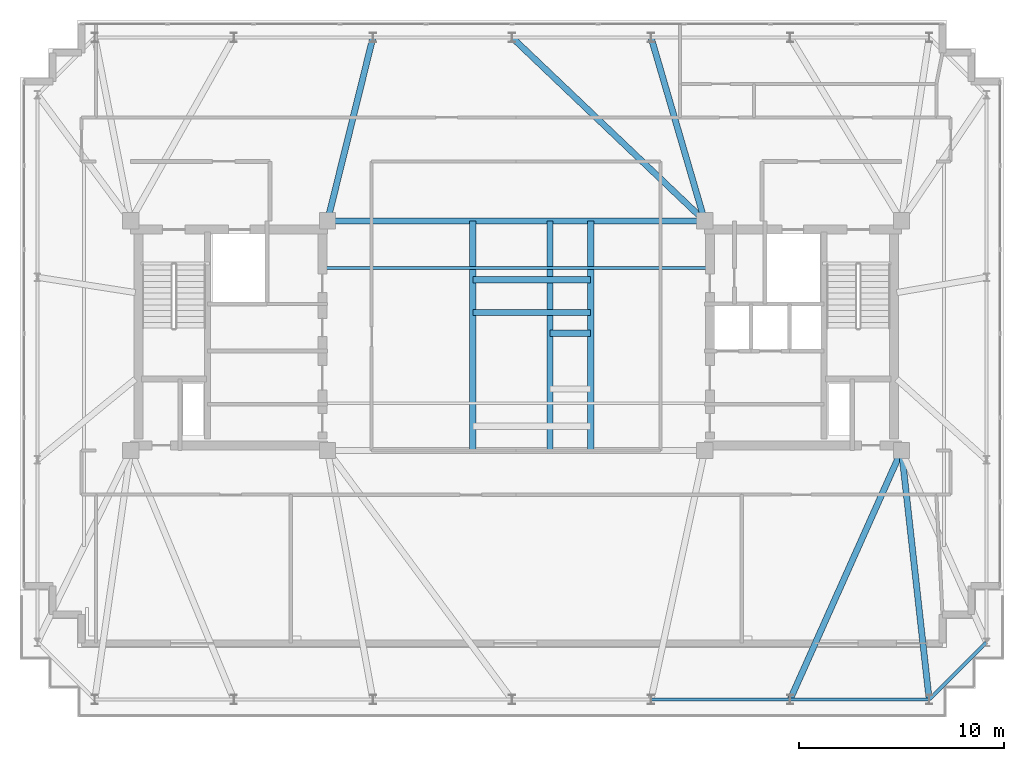
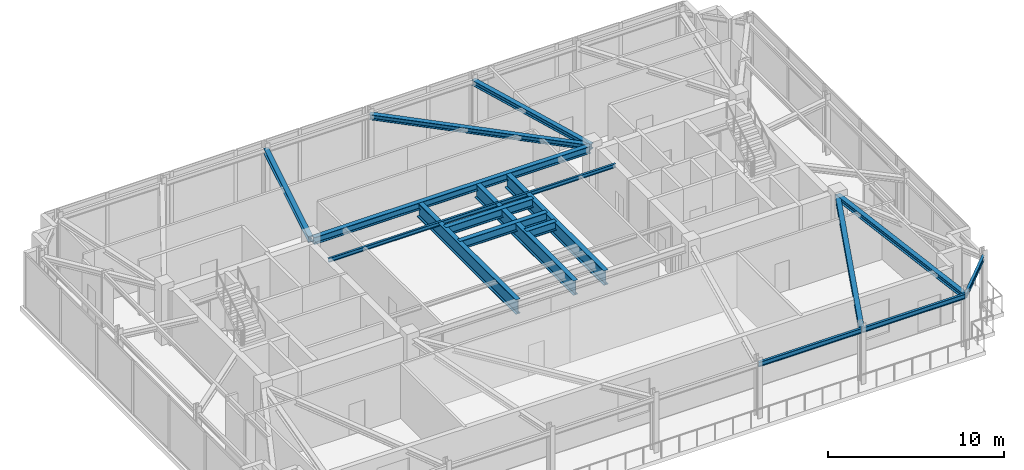
# One storey, part 11 of 24: 16 beams.
"""IFC4 building model written with IfcOpenShell, lengths in metres."""

import ifcopenshell
import ifcopenshell.guid

model = None  # the IFC model being written
_history = None  # IfcOwnerHistory: only IFC2X3 demands one
_inside = {}  # id of a spatial element -> (the spatial element, [elements in it])
_under = {}  # id of a project, library or spatial element -> (it, [spatial elements below it])
_declared = {}  # id of a project -> (the project, [libraries it declares])
_typed = {}  # id of a type object -> (the type object, [elements of that type])
_made_of = {}  # id of a material, layer set ... -> (it, [elements and type objects made of it])


def new_model(schema):
    """Start an empty IFC model of exactly this schema.

    Asked for "IFC4X3", IfcOpenShell would pick the latest addendum, in which some entities
    have other attributes; the version numbers below select the first issue.
    IFC2X3 requires an IfcOwnerHistory on every rooted entity: one is made here for all.
    """
    global model, _history
    if schema == "IFC4X3":
        model = ifcopenshell.file(schema_version=(4, 3, 0, 0))
    else:
        model = ifcopenshell.file(schema=schema)
    _inside.clear()
    _under.clear()
    _declared.clear()
    _typed.clear()
    _made_of.clear()
    _history = None
    if model.schema == "IFC2X3":
        org = make("IfcOrganization", Name="unknown")
        user = make(
            "IfcPersonAndOrganization",
            ThePerson=make("IfcPerson", FamilyName="unknown"),
            TheOrganization=org,
        )
        app = make(
            "IfcApplication",
            ApplicationDeveloper=org,
            Version="unknown",
            ApplicationFullName="unknown",
            ApplicationIdentifier="unknown",
        )
        _history = make(
            "IfcOwnerHistory",
            OwningUser=user,
            OwningApplication=app,
            ChangeAction="ADDED",
            CreationDate=0,
        )
    return model


def make(cls, **values):
    """One entity of the class cls with the attributes given. An attribute that is None is left unset."""
    return model.create_entity(
        cls, **{name: value for name, value in values.items() if value is not None}
    )


def rooted(cls, **values):
    """An entity with a GlobalId (a new one), such as an element, a storey or a relation."""
    return make(cls, GlobalId=ifcopenshell.guid.new(), OwnerHistory=_history, **values)


def si_unit(unit_type, name, prefix=None):
    """IfcSIUnit, for example si_unit("LENGTHUNIT", "METRE", prefix="MILLI")."""
    return make("IfcSIUnit", UnitType=unit_type, Prefix=prefix, Name=name)


def assignment(units):
    """IfcUnitAssignment: the units of a project."""
    return None if units is None else make("IfcUnitAssignment", Units=units)


def point(xyz):
    """IfcCartesianPoint."""
    return None if xyz is None else make("IfcCartesianPoint", Coordinates=xyz)


def direction(xyz):
    """IfcDirection."""
    return None if xyz is None else make("IfcDirection", DirectionRatios=xyz)


def frame(location, z_axis=None, x_axis=None):
    """IfcAxis2Placement3D, a coordinate frame: its origin and axes. An axis left out is left unset."""
    return make(
        "IfcAxis2Placement3D",
        Location=point(location),
        Axis=direction(z_axis),
        RefDirection=direction(x_axis),
    )


def frame_2d(location, x_axis=None):
    """IfcAxis2Placement2D, a coordinate frame in the plane: its origin and x axis."""
    return make(
        "IfcAxis2Placement2D", Location=point(location), RefDirection=direction(x_axis)
    )


def origin():
    """The frame at (0, 0, 0) with its axes left unset."""
    return frame((0.0, 0.0, 0.0))


def origin_2d():
    """The frame at (0, 0) in the plane with its x axis left unset."""
    return frame_2d((0.0, 0.0))


def place(relative_to, where):
    """IfcLocalPlacement: puts the frame where relative to a parent placement (None: the world)."""
    return make(
        "IfcLocalPlacement", PlacementRelTo=relative_to, RelativePlacement=where
    )


def context(
    kind, dimensions, precision=None, world=None, true_north=None, identifier=None
):
    """IfcGeometricRepresentationContext, for example the 3D "Model" context."""
    return make(
        "IfcGeometricRepresentationContext",
        ContextIdentifier=identifier,
        ContextType=kind,
        CoordinateSpaceDimension=dimensions,
        Precision=precision,
        WorldCoordinateSystem=world,
        TrueNorth=true_north,
    )


def subcontext(parent, identifier, kind, view, scale=None):
    """IfcGeometricRepresentationSubContext, for example "Body" below "Model"."""
    return make(
        "IfcGeometricRepresentationSubContext",
        ContextIdentifier=identifier,
        ContextType=kind,
        ParentContext=parent,
        TargetScale=scale,
        TargetView=view,
    )


def project(units=None, contexts=None):
    """IfcProject with its units and contexts."""
    return rooted(
        "IfcProject",
        Name="project",
        RepresentationContexts=contexts,
        UnitsInContext=assignment(units),
    )


def spatial(cls, under=None, at=None, **own):
    """A site, building, storey or space (cls), placed at a placement, below another one or the project."""
    s = rooted(cls, ObjectPlacement=at, **own)
    if under is not None:
        _under.setdefault(under.id(), (under, []))[1].append(s)
    return s


def profile(cls, at=None, kind="AREA", **sizes):
    """A parametric profile (cls). Its sizes go by their IFC names, for example OverallWidth=200.0."""
    return make(cls, ProfileType=kind, Position=at, **sizes)


def i_section(**sizes):
    """IfcIShapeProfileDef."""
    return profile("IfcIShapeProfileDef", **sizes)


def extrude(swept, where, along, depth):
    """IfcExtrudedAreaSolid: the profile swept, set in the frame where, extruded along a direction by depth."""
    return make(
        "IfcExtrudedAreaSolid",
        SweptArea=swept,
        Position=where,
        ExtrudedDirection=direction(along),
        Depth=depth,
    )


def shape(context_of_items, identifier, shape_type, items):
    """IfcShapeRepresentation: the items that make up one representation, for example the "Body"."""
    return make(
        "IfcShapeRepresentation",
        ContextOfItems=context_of_items,
        RepresentationIdentifier=identifier,
        RepresentationType=shape_type,
        Items=items,
    )


def material(Name=None, Category=None):
    """IfcMaterial."""
    return make("IfcMaterial", Name=Name, Category=Category)


def material_profile(
    of_material, cross_section, Name=None, Category=None, Priority=None
):
    """IfcMaterialProfile: a cross section and its material."""
    return make(
        "IfcMaterialProfile",
        Name=Name,
        Material=of_material,
        Profile=cross_section,
        Priority=Priority,
        Category=Category,
    )


def profile_set(profiles, Name=None, composite=None):
    """IfcMaterialProfileSet."""
    return make(
        "IfcMaterialProfileSet",
        Name=Name,
        MaterialProfiles=profiles,
        CompositeProfile=composite,
    )


def made_of(thing, what):
    """Note that an element or type object is made of a material, layer set ...; save() writes the relation."""
    if what is not None:
        _made_of.setdefault(what.id(), (what, []))[1].append(thing)
    return thing


def type_object(cls, material=None, **own):
    """A type object (cls), such as IfcWallType, which elements share."""
    return made_of(rooted(cls, **own), material)


def element(
    cls,
    number,
    at=None,
    inside=None,
    cuts=None,
    type_object=None,
    material=None,
    context=None,
    identifier="Body",
    shape_type=None,
    held_by="IfcProductDefinitionShape",
    body=None,
    shapes=None,
    **own,
):
    """One element of the class cls, such as IfcWall. Its Tag is "e" and its number.

    at: its placement. inside: the storey or other place that contains it. cuts: it is an
    opening in that element (IfcRelVoidsElement). A single representation is given by context,
    identifier, shape_type and body (its items); several are given by shapes. held_by: the class
    of the entity that holds the representations. save() writes the other relations.
    """
    e = rooted(cls, Tag="e%d" % number, ObjectPlacement=at, **own)
    if body is not None:
        shapes = [shape(context, identifier, shape_type, body)]
    if shapes is not None:
        e.Representation = make(held_by, Representations=shapes)
    if inside is not None:
        _inside.setdefault(inside.id(), (inside, []))[1].append(e)
    if cuts is not None:
        rooted(
            "IfcRelVoidsElement", RelatingBuildingElement=cuts, RelatedOpeningElement=e
        )
    if type_object is not None:
        _typed.setdefault(type_object.id(), (type_object, []))[1].append(e)
    return made_of(e, material)


def aggregate(whole, parts):
    """IfcRelAggregates: a whole, such as a stair, and the parts it consists of."""
    return rooted("IfcRelAggregates", RelatingObject=whole, RelatedObjects=parts)


def save(model, path):
    """Write the relations noted so far, then the file.

    IfcRelAggregates (storeys below a building ...), IfcRelContainedInSpatialStructure (elements
    in a storey), IfcRelDefinesByType, IfcRelAssociatesMaterial and IfcRelDeclares: one each for
    every whole, place, type object, material and project.
    """
    for whole, parts in _under.values():
        aggregate(whole, parts)
    for where, things in _inside.values():
        rooted(
            "IfcRelContainedInSpatialStructure",
            RelatedElements=things,
            RelatingStructure=where,
        )
    for kind, things in _typed.values():
        rooted("IfcRelDefinesByType", RelatedObjects=things, RelatingType=kind)
    for what, things in _made_of.values():
        rooted("IfcRelAssociatesMaterial", RelatedObjects=things, RelatingMaterial=what)
    for by, libraries in _declared.values():
        rooted("IfcRelDeclares", RelatingContext=by, RelatedDefinitions=libraries)
    model.write(path)


model = new_model("IFC4")

# Units and contexts
model_context = context("Model", 3, precision=1e-05, world=origin(), true_north=direction((0.0, 1.0)))
body_context = subcontext(model_context, "Body", "Model", "MODEL_VIEW")
ifc_project = project(units=[si_unit("LENGTHUNIT", "METRE"), si_unit("AREAUNIT", "SQUARE_METRE"), si_unit("VOLUMEUNIT", "CUBIC_METRE"), si_unit("PLANEANGLEUNIT", "RADIAN"), si_unit("MASSUNIT", "GRAM", prefix="KILO")], contexts=[model_context])

# Site, building, storey
site_placement = place(None, origin())
site = spatial("IfcSite", under=ifc_project, at=site_placement, CompositionType="ELEMENT")
building_placement = place(site_placement, origin())
building = spatial("IfcBuilding", under=site, at=building_placement, Name="Qobustan Lattice House", CompositionType="ELEMENT")
storey_placement = place(building_placement, frame((0.0, 0.0, 261.800048828125)))
storey = spatial("IfcBuildingStorey", under=building, at=storey_placement, Name="L74", CompositionType="ELEMENT", Elevation=261.800048828125)

# Beams
ifc_material_1 = material(Name="Steel S355", Category="steel")
ifc_material_profile_1 = material_profile(ifc_material_1, i_section(OverallWidth=0.300048828125, OverallDepth=0.5, WebThickness=0.014404296875, FlangeThickness=0.028076171875, FilletRadius=0.027099609375, at=origin_2d()), Name="HEB500")
ifc_profile_set_1 = profile_set([ifc_material_profile_1], Name="Steel S355")
beam_type_1 = type_object("IfcBeamType", Name="BM-CG-HEB500", PredefinedType="USERDEFINED", material=ifc_profile_set_1)
beam_1_placement = place(storey_placement, frame((-9.050048828125, 5.60009765625, 3.530029296875), z_axis=(1.0, 0.0, 0.0), x_axis=(0.0, 1.0, 0.0)))
element("IfcBeam", 1, at=beam_1_placement, inside=storey, type_object=beam_type_1, Name="L74 core spine girder CG-CN", ObjectType="GIRDER", PredefinedType="USERDEFINED", context=body_context, shape_type="SweptSolid", body=[
    extrude(i_section(OverallWidth=0.300048828125, OverallDepth=0.5, WebThickness=0.014404296875, FlangeThickness=0.028076171875, FilletRadius=0.027099609375, at=origin_2d()), origin(), (0.0, 0.0, 1.0), 18.10009765625),
])
ifc_material_2 = material(Name="Steel S355", Category="steel")
ifc_material_profile_2 = material_profile(ifc_material_2, i_section(OverallWidth=0.300048828125, OverallDepth=0.360107421875, WebThickness=0.012451171875, FlangeThickness=0.0224609375, FilletRadius=0.027099609375, at=origin_2d()), Name="HEB360")
ifc_profile_set_2 = profile_set([ifc_material_profile_2], Name="Steel S355")
beam_type_2 = type_object("IfcBeamType", Name="BM-FLG-HEB360", PredefinedType="USERDEFINED", material=ifc_profile_set_2)
beam_2_placement = place(storey_placement, frame((13.376953125, -17.727294921875, 3.599853515625), z_axis=(0.408219903586, 0.912883623643, 0.0), x_axis=(-0.912883623643, 0.408219903586, 0.0)))
element("IfcBeam", 2, at=beam_2_placement, inside=storey, type_object=beam_type_2, Name="L74 primary floor girder RAD-S6", ObjectType="GIRDER", PredefinedType="USERDEFINED", context=body_context, shape_type="SweptSolid", body=[
    extrude(i_section(OverallWidth=0.300048828125, OverallDepth=0.360107421875, WebThickness=0.012451171875, FlangeThickness=0.0224609375, FilletRadius=0.027099609375, at=origin_2d()), origin(), (0.0, 0.0, 1.0), 13.259521484375),
])
beam_3_placement = place(storey_placement, frame((20.147216796875, -17.72509765625, 3.599853515625), z_axis=(-0.110431526075, 0.993883734674, 0.0), x_axis=(-0.993883734674, -0.110431526075, 0.0)))
element("IfcBeam", 3, at=beam_3_placement, inside=storey, type_object=beam_type_2, Name="L74 primary floor girder RAD-S7E", ObjectType="GIRDER", PredefinedType="USERDEFINED", context=body_context, shape_type="SweptSolid", body=[
    extrude(i_section(OverallWidth=0.300048828125, OverallDepth=0.360107421875, WebThickness=0.012451171875, FlangeThickness=0.0224609375, FilletRadius=0.027099609375, at=origin_2d()), origin(), (0.0, 0.0, 1.0), 12.1748046875),
])
beam_4_placement = place(storey_placement, frame((-6.9892578125, 14.525634765625, 3.599853515625), z_axis=(-0.240430288899, -0.970666408289, 0.0), x_axis=(0.970666408289, -0.240430288899, 0.0)))
element("IfcBeam", 4, at=beam_4_placement, inside=storey, type_object=beam_type_2, Name="L74 primary floor girder RAD-N5", ObjectType="GIRDER", PredefinedType="USERDEFINED", context=body_context, shape_type="SweptSolid", body=[
    extrude(i_section(OverallWidth=0.300048828125, OverallDepth=0.360107421875, WebThickness=0.012451171875, FlangeThickness=0.0224609375, FilletRadius=0.027099609375, at=origin_2d()), origin(), (0.0, 0.0, 1.0), 9.17041015625),
])
beam_5_placement = place(storey_placement, frame((-0.181884765625, 14.53271484375, 3.599853515625), z_axis=(0.724228633775, -0.689559921995, 0.0), x_axis=(0.689559921995, 0.724228633775, 0.0)))
element("IfcBeam", 5, at=beam_5_placement, inside=storey, type_object=beam_type_2, Name="L74 primary floor girder RAD-N4", ObjectType="GIRDER", PredefinedType="USERDEFINED", context=body_context, shape_type="SweptSolid", body=[
    extrude(i_section(OverallWidth=0.300048828125, OverallDepth=0.360107421875, WebThickness=0.012451171875, FlangeThickness=0.0224609375, FilletRadius=0.027099609375, at=origin_2d()), origin(), (0.0, 0.0, 1.0), 12.92919921875),
])
beam_6_placement = place(storey_placement, frame((6.59033203125, 14.52587890625, 3.599853515625), z_axis=(0.28063676088, -0.959814048888, 0.0), x_axis=(0.959814048888, 0.28063676088, 0.0)))
element("IfcBeam", 6, at=beam_6_placement, inside=storey, type_object=beam_type_2, Name="L74 primary floor girder RAD-N3", ObjectType="GIRDER", PredefinedType="USERDEFINED", context=body_context, shape_type="SweptSolid", body=[
    extrude(i_section(OverallWidth=0.300048828125, OverallDepth=0.360107421875, WebThickness=0.012451171875, FlangeThickness=0.0224609375, FilletRadius=0.027099609375, at=origin_2d()), origin(), (0.0, 0.0, 1.0), 9.274658203125),
])
ifc_material_3 = material(Name="Steel S355", Category="steel")
ifc_material_profile_3 = material_profile(ifc_material_3, i_section(OverallWidth=0.135009765625, OverallDepth=0.27001953125, WebThickness=0.006591796875, FlangeThickness=0.01025390625, FilletRadius=0.014892578125, at=origin_2d()), Name="IPE270")
ifc_profile_set_3 = profile_set([ifc_material_profile_3], Name="Steel S355")
beam_type_3 = type_object("IfcBeamType", Name="BM-JST-IPE270", PredefinedType="JOIST", material=ifc_profile_set_3)
beam_7_placement = place(storey_placement, frame((-9.39990234375, 3.300048828125, 3.64501953125), z_axis=(1.0, 0.0, 0.0), x_axis=(0.0, 1.0, 0.0)))
element("IfcBeam", 7, at=beam_7_placement, inside=storey, type_object=beam_type_3, Name="L74 central span floor joist 2", PredefinedType="JOIST", context=body_context, shape_type="SweptSolid", body=[
    extrude(i_section(OverallWidth=0.135009765625, OverallDepth=0.27001953125, WebThickness=0.006591796875, FlangeThickness=0.01025390625, FilletRadius=0.014892578125, at=origin_2d()), origin(), (0.0, 0.0, 1.0), 18.7998046875),
])
ifc_material_4 = material(Name="Steel S355", Category="steel")
ifc_material_profile_4 = material_profile(ifc_material_4, i_section(OverallWidth=0.300048828125, OverallDepth=0.60009765625, WebThickness=0.015380859375, FlangeThickness=0.030029296875, FilletRadius=0.027099609375, at=origin_2d()), Name="HEB600")
ifc_profile_set_4 = profile_set([ifc_material_profile_4], Name="Steel S355")
beam_type_4 = type_object("IfcBeamType", Name="BM-POD-HEB600", PredefinedType="USERDEFINED", material=ifc_profile_set_4)
for number, where, z_axis, x_axis, name in (
    (8, (-2.110107421875, 2.72998046875, 3.47998046875), (1.0, 0.0, 0.0), (0.0, 1.0, 0.0), "L74 crown stair cross support beam N"),
    (9, (-2.110107421875, 1.139892578125, 3.47998046875), (1.0, 0.0, 0.0), (0.0, 1.0, 0.0), "L74 crown stair cross support beam L1"),
):
    element("IfcBeam", number, at=place(storey_placement, frame(where, z_axis=z_axis, x_axis=x_axis)), inside=storey, type_object=beam_type_4, Name=name, ObjectType="GIRDER", PredefinedType="USERDEFINED", context=body_context, shape_type="SweptSolid", body=[
        extrude(i_section(OverallWidth=0.300048828125, OverallDepth=0.60009765625, WebThickness=0.015380859375, FlangeThickness=0.030029296875, FilletRadius=0.027099609375, at=origin_2d()), origin(), (0.0, 0.0, 1.0), 5.75),
    ])
beam_8_placement = place(storey_placement, frame((1.659912109375, 0.1201171875, 3.47998046875), z_axis=(1.0, 0.0, 0.0), x_axis=(0.0, 1.0, 0.0)))
element("IfcBeam", 10, at=beam_8_placement, inside=storey, type_object=beam_type_4, Name="L74 crown firefighting lift cross support beam FN", ObjectType="GIRDER", PredefinedType="USERDEFINED", context=body_context, shape_type="SweptSolid", body=[
    extrude(i_section(OverallWidth=0.300048828125, OverallDepth=0.60009765625, WebThickness=0.015380859375, FlangeThickness=0.030029296875, FilletRadius=0.027099609375, at=origin_2d()), origin(), (0.0, 0.0, 1.0), 1.97998046875),
])
ifc_material_5 = material(Name="Steel S355", Category="steel")
ifc_material_profile_5 = material_profile(ifc_material_5, i_section(OverallWidth=0.159912109375, OverallDepth=0.330078125, WebThickness=0.007568359375, FlangeThickness=0.011474609375, FilletRadius=0.01806640625, at=origin_2d()), Name="IPE330")
ifc_profile_set_5 = profile_set([ifc_material_profile_5], Name="Steel S355")
beam_type_5 = type_object("IfcBeamType", Name="BM-SPD-IPE330", PredefinedType="SPANDREL", material=ifc_profile_set_5)
for number, where, z_axis, x_axis, name in (
    (11, (6.6083984375, -17.75, 3.614990234375), (1.0, 0.0, 0.0), (0.0, 1.0, 0.0), "L74 perimeter spandrel S5-S6"),
    (12, (13.3916015625, -17.75, 3.614990234375), (1.0, 0.0, 0.0), (0.0, 1.0, 0.0), "L74 perimeter spandrel S6-S7"),
):
    element("IfcBeam", number, at=place(storey_placement, frame(where, z_axis=z_axis, x_axis=x_axis)), inside=storey, type_object=beam_type_5, Name=name, PredefinedType="SPANDREL", context=body_context, shape_type="SweptSolid", body=[
        extrude(i_section(OverallWidth=0.159912109375, OverallDepth=0.330078125, WebThickness=0.007568359375, FlangeThickness=0.011474609375, FilletRadius=0.01806640625, at=origin_2d()), origin(), (0.0, 0.0, 1.0), 6.7333984375),
    ])
beam_9_placement = place(storey_placement, frame((20.167724609375, -17.732421875, 3.614990234375), z_axis=(0.707106781187, 0.707106781187, 0.0), x_axis=(-0.707106781187, 0.707106781187, 0.0)))
element("IfcBeam", 13, at=beam_9_placement, inside=storey, type_object=beam_type_5, Name="L74 perimeter spandrel S7-E1", PredefinedType="SPANDREL", context=body_context, shape_type="SweptSolid", body=[
    extrude(i_section(OverallWidth=0.159912109375, OverallDepth=0.330078125, WebThickness=0.007568359375, FlangeThickness=0.011474609375, FilletRadius=0.01806640625, at=origin_2d()), origin(), (0.0, 0.0, 1.0), 3.909912109375),
])
ifc_material_6 = material(Name="Steel S355", Category="steel")
ifc_material_profile_6 = material_profile(ifc_material_6, i_section(OverallWidth=0.302001953125, OverallDepth=1.008056640625, WebThickness=0.02099609375, FlangeThickness=0.0400390625, FilletRadius=0.030029296875, at=origin_2d()), Name="HEM1000")
ifc_profile_set_6 = profile_set([ifc_material_profile_6], Name="Steel S355")
beam_type_6 = type_object("IfcBeamType", Name="BM-TRG-HEM1000", PredefinedType="USERDEFINED", material=ifc_profile_set_6)
for number, where, z_axis, x_axis, name in (
    (14, (-2.110107421875, -5.60009765625, 3.27587890625), (0.0, 1.0, 0.0), (-1.0, 0.0, 0.0), "L74 crown stair transfer support girder W"),
    (15, (1.659912109375, -5.60009765625, 3.27587890625), (0.0, 1.0, 0.0), (-1.0, 0.0, 0.0), "L74 crown stair transfer support girder E"),
    (16, (3.639892578125, -5.60009765625, 3.27587890625), (0.0, 1.0, 0.0), (-1.0, 0.0, 0.0), "L74 crown stair transfer support girder FE"),
):
    element("IfcBeam", number, at=place(storey_placement, frame(where, z_axis=z_axis, x_axis=x_axis)), inside=storey, type_object=beam_type_6, Name=name, ObjectType="GIRDER", PredefinedType="USERDEFINED", context=body_context, shape_type="SweptSolid", body=[
        extrude(i_section(OverallWidth=0.302001953125, OverallDepth=1.008056640625, WebThickness=0.02099609375, FlangeThickness=0.0400390625, FilletRadius=0.030029296875, at=origin_2d()), origin(), (0.0, 0.0, 1.0), 11.2001953125),
    ])

save(model, "model.ifc")
